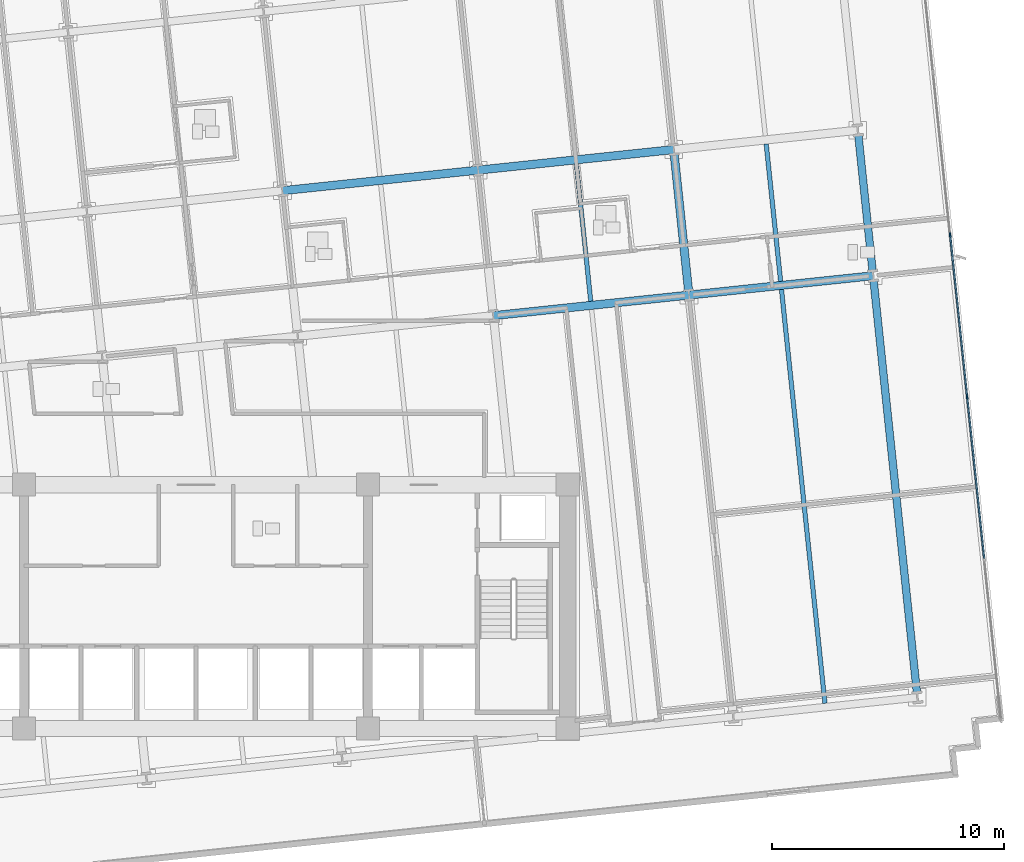
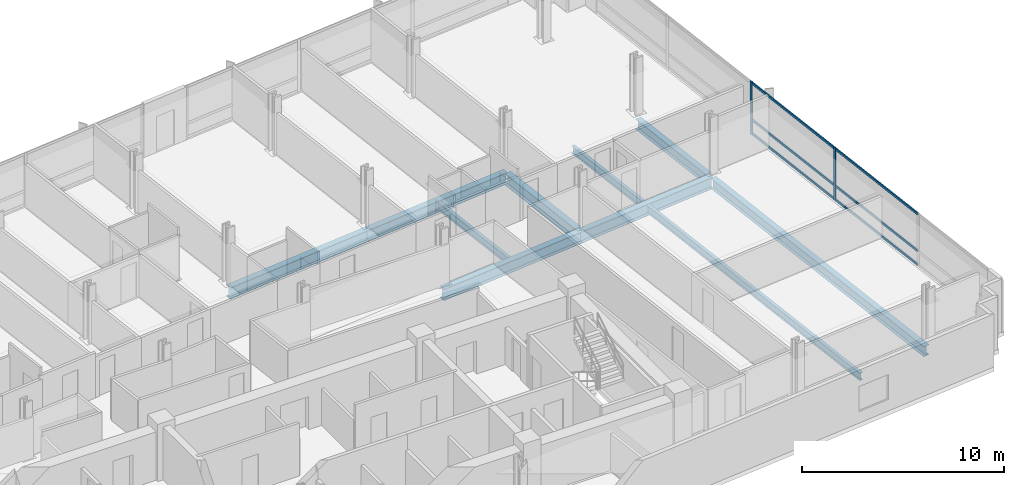
# One storey, part 5 of 19: 10 beams, 8 members, 1 element without a shape of its own.
"""IFC4 building model written with IfcOpenShell, lengths in metres."""

from ifc_helpers import new_model, si_unit, direction, frame, origin, origin_2d, place, context, subcontext, project, spatial, rectangle, i_section, extrude, material, material_profile, profile_set, type_object, element, aggregate, save


model = new_model("IFC4")

# Units and contexts
model_context = context("Model", 3, precision=1e-05, world=origin(), true_north=direction((0.0, 1.0)))
body_context = subcontext(model_context, "Body", "Model", "MODEL_VIEW")
ifc_project = project(units=[si_unit("LENGTHUNIT", "METRE"), si_unit("AREAUNIT", "SQUARE_METRE"), si_unit("VOLUMEUNIT", "CUBIC_METRE"), si_unit("PLANEANGLEUNIT", "RADIAN"), si_unit("MASSUNIT", "GRAM", prefix="KILO")], contexts=[model_context])

# Site, building, storey
site_placement = place(None, origin())
site = spatial("IfcSite", under=ifc_project, at=site_placement, CompositionType="ELEMENT")
building_placement = place(site_placement, origin())
building = spatial("IfcBuilding", under=site, at=building_placement, Name="Solmavex Isthmus Hotel", CompositionType="ELEMENT")
storey_placement = place(building_placement, frame((0.0, 0.0, 83.550048828125)))
storey = spatial("IfcBuildingStorey", under=building, at=storey_placement, Name="L22", CompositionType="ELEMENT", Elevation=83.550048828125)

# Beams
ifc_material_1 = material(Name="Steel ASTM A992 Grade 50", Category="steel")
ifc_material_profile_1 = material_profile(ifc_material_1, i_section(OverallWidth=0.354736328125, OverallDepth=0.695556640625, WebThickness=0.015380859375, FlangeThickness=0.02490234375, FilletRadius=0.017822265625, at=origin_2d()), Name="W27X146")
ifc_profile_set_1 = profile_set([ifc_material_profile_1], Name="Steel ASTM A992 Grade 50")
beam_type_1 = type_object("IfcBeamType", Name="BM-BG-W27X146", PredefinedType="BEAM", material=ifc_profile_set_1)
beam_1_placement = place(storey_placement, frame((12.800048828125, 4.7734375, -0.60791015625), z_axis=(0.994521085209, 0.104536171134, 0.0), x_axis=(-0.104536171134, 0.994521085209, 0.0)))
element("IfcBeam", 1, at=beam_1_placement, inside=storey, type_object=beam_type_1, Name="Floor Girder L22-UG11", PredefinedType="BEAM", context=body_context, shape_type="SweptSolid", body=[
    extrude(i_section(OverallWidth=0.354736328125, OverallDepth=0.695556640625, WebThickness=0.015380859375, FlangeThickness=0.02490234375, FilletRadius=0.017822265625, at=origin_2d()), origin(), (0.0, 0.0, 1.0), 8.466064453125),
])
beam_2_placement = place(storey_placement, frame((21.2197265625, 5.658447265625, -0.60791015625), z_axis=(0.994523402738, 0.104514120609, 0.0), x_axis=(-0.104514120609, 0.994523402738, 0.0)))
element("IfcBeam", 2, at=beam_2_placement, inside=storey, type_object=beam_type_1, Name="Floor Girder L22-UG12", PredefinedType="BEAM", context=body_context, shape_type="SweptSolid", body=[
    extrude(i_section(OverallWidth=0.354736328125, OverallDepth=0.695556640625, WebThickness=0.015380859375, FlangeThickness=0.02490234375, FilletRadius=0.017822265625, at=origin_2d()), origin(), (0.0, 0.0, 1.0), 7.968017578125),
])
for number, where, z_axis, x_axis, name in (
    (3, (3.72216796875, 10.152099609375, -0.60791015625), (0.994524082861, 0.104507648572, 0.0), (-0.104507648572, 0.994524082861, 0.0), "Floor Girder L22-UG16"),
    (4, (12.141845703125, 11.036865234375, -0.60791015625), (0.994521085209, 0.104536171134, 0.0), (-0.104536171134, 0.994521085209, 0.0), "Floor Girder L22-UG17"),
):
    element("IfcBeam", number, at=place(storey_placement, frame(where, z_axis=z_axis, x_axis=x_axis)), inside=storey, type_object=beam_type_1, Name=name, PredefinedType="BEAM", context=body_context, shape_type="SweptSolid", body=[
        extrude(i_section(OverallWidth=0.354736328125, OverallDepth=0.695556640625, WebThickness=0.015380859375, FlangeThickness=0.02490234375, FilletRadius=0.017822265625, at=origin_2d()), origin(), (0.0, 0.0, 1.0), 8.466064453125),
    ])
beam_3_placement = place(storey_placement, frame((21.201171875, 5.834716796875, -0.60791015625), z_axis=(-0.104505160346, 0.994524344328, 0.0), x_axis=(-0.994524344328, -0.104505160346, 0.0)))
element("IfcBeam", 5, at=beam_3_placement, inside=storey, type_object=beam_type_1, Name="Floor Beam L22-VG44", PredefinedType="BEAM", context=body_context, shape_type="SweptSolid", body=[
    extrude(i_section(OverallWidth=0.354736328125, OverallDepth=0.695556640625, WebThickness=0.015380859375, FlangeThickness=0.02490234375, FilletRadius=0.017822265625, at=origin_2d()), origin(), (0.0, 0.0, 1.0), 5.943115234375),
])
ifc_material_profile_2 = material_profile(ifc_material_1, i_section(OverallWidth=0.1904296875, OverallDepth=0.456787109375, WebThickness=0.009033203125, FlangeThickness=0.014404296875, FilletRadius=0.0126953125, at=origin_2d()), Name="W18X50")
ifc_profile_set_2 = profile_set([ifc_material_profile_2], Name="Steel ASTM A992 Grade 50")
beam_type_2 = type_object("IfcBeamType", Name="BM-BJ-W18X50", PredefinedType="JOIST", material=ifc_profile_set_2)
beam_4_placement = place(storey_placement, frame((16.991455078125, 5.392333984375, -0.488525390625), z_axis=(-0.104545790518, 0.994520074048, 0.0), x_axis=(-0.994520074048, -0.104545790518, 0.0)))
element("IfcBeam", 6, at=beam_4_placement, inside=storey, type_object=beam_type_2, Name="Secondary Floor Joist L22-J17", PredefinedType="JOIST", context=body_context, shape_type="SweptSolid", body=[
    extrude(i_section(OverallWidth=0.1904296875, OverallDepth=0.456787109375, WebThickness=0.009033203125, FlangeThickness=0.014404296875, FilletRadius=0.0126953125, at=origin_2d()), origin(), (0.0, 0.0, 1.0), 5.943115234375),
])
beam_5_placement = place(storey_placement, frame((27.072509765625, -11.912841796875, -0.488525390625), z_axis=(-0.104530088192, 0.99452172458, 0.0), x_axis=(-0.99452172458, -0.104530088192, 0.0)))
element("IfcBeam", 7, at=beam_5_placement, inside=storey, type_object=beam_type_2, Name="Secondary Floor Joist L22-J19", PredefinedType="JOIST", context=body_context, shape_type="SweptSolid", body=[
    extrude(i_section(OverallWidth=0.1904296875, OverallDepth=0.456787109375, WebThickness=0.009033203125, FlangeThickness=0.014404296875, FilletRadius=0.0126953125, at=origin_2d()), origin(), (0.0, 0.0, 1.0), 17.909423828125),
])
beam_6_placement = place(storey_placement, frame((25.163330078125, 6.251220703125, -0.488525390625), z_axis=(-0.104505160346, 0.994524344328, 0.0), x_axis=(-0.994524344328, -0.104505160346, 0.0)))
element("IfcBeam", 8, at=beam_6_placement, inside=storey, type_object=beam_type_2, Name="Secondary Floor Joist L22-J20", PredefinedType="JOIST", context=body_context, shape_type="SweptSolid", body=[
    extrude(i_section(OverallWidth=0.1904296875, OverallDepth=0.456787109375, WebThickness=0.009033203125, FlangeThickness=0.014404296875, FilletRadius=0.0126953125, at=origin_2d()), origin(), (0.0, 0.0, 1.0), 5.943115234375),
])
ifc_material_profile_3 = material_profile(ifc_material_1, i_section(OverallWidth=0.326416015625, OverallDepth=0.621826171875, WebThickness=0.015380859375, FlangeThickness=0.0244140625, FilletRadius=0.01513671875, at=origin_2d()), Name="W24X131")
ifc_profile_set_3 = profile_set([ifc_material_profile_3], Name="Steel ASTM A992 Grade 50")
beam_type_3 = type_object("IfcBeamType", Name="BM-SP-W24X131", PredefinedType="SPANDREL", material=ifc_profile_set_3)
beam_7_placement = place(storey_placement, frame((31.03466796875, -11.496337890625, -0.571044921875), z_axis=(-0.104530088192, 0.99452172458, 0.0), x_axis=(-0.99452172458, -0.104530088192, 0.0)))
element("IfcBeam", 9, at=beam_7_placement, inside=storey, type_object=beam_type_3, Name="Floor Beam L22-VG46", PredefinedType="SPANDREL", context=body_context, shape_type="SweptSolid", body=[
    extrude(i_section(OverallWidth=0.326416015625, OverallDepth=0.621826171875, WebThickness=0.015380859375, FlangeThickness=0.0244140625, FilletRadius=0.01513671875, at=origin_2d()), origin(), (0.0, 0.0, 1.0), 17.909423828125),
])
beam_8_placement = place(storey_placement, frame((29.12548828125, 6.667724609375, -0.571044921875), z_axis=(-0.104505160346, 0.994524344328, 0.0), x_axis=(-0.994524344328, -0.104505160346, 0.0)))
element("IfcBeam", 10, at=beam_8_placement, inside=storey, type_object=beam_type_3, Name="Floor Beam L22-VG47", PredefinedType="SPANDREL", context=body_context, shape_type="SweptSolid", body=[
    extrude(i_section(OverallWidth=0.326416015625, OverallDepth=0.621826171875, WebThickness=0.015380859375, FlangeThickness=0.0244140625, FilletRadius=0.01513671875, at=origin_2d()), origin(), (0.0, 0.0, 1.0), 5.943115234375),
])

# Curtain wall, members
ifc_material_2 = material(Name="Aluminium alloy 6063-T6", Category="aluminium")
curtain_wall_type = type_object("IfcCurtainWallType", Name="CW-SYS-03", PredefinedType="NOTDEFINED", material=ifc_material_2)
curtain_wall_placement = place(storey_placement, origin())
curtain_wall = element("IfcCurtainWall", 11, at=curtain_wall_placement, inside=storey, type_object=curtain_wall_type, Name="Stick Curtain Wall CWL-L22-E1", PredefinedType="NOTDEFINED")
ifc_material_profile_4 = material_profile(ifc_material_2, rectangle(XDim=0.070068359375, YDim=0.179931640625, at=origin_2d()), Name="CWM-70X180")
ifc_profile_set_4 = profile_set([ifc_material_profile_4], Name="Aluminium alloy 6063-T6")
member_type_1 = type_object("IfcMemberType", Name="CW-SYS-03-MUL", PredefinedType="MULLION", material=ifc_profile_set_4)
member_1_placement = place(storey_placement, frame((33.19140625, 1.275634765625, 0.0), z_axis=(0.0, 0.0, 1.0), x_axis=(-0.994521893044, -0.104528485381, 0.0)))
member_1 = element("IfcMember", 12, at=member_1_placement, type_object=member_type_1, Name="CW-03 mullion 3", PredefinedType="MULLION", context=body_context, shape_type="SweptSolid", body=[
    extrude(rectangle(XDim=0.070068359375, YDim=0.179931640625, at=origin_2d()), origin(), (0.0, 0.0, 1.0), 3.18994140625),
])
member_2_placement = place(storey_placement, frame((32.45751953125, 8.25732421875, 0.0), z_axis=(0.0, 0.0, 1.0), x_axis=(-0.994521893044, -0.104528485381, 0.0)))
member_2 = element("IfcMember", 13, at=member_2_placement, type_object=member_type_1, Name="CW-03 mullion 4", PredefinedType="MULLION", context=body_context, shape_type="SweptSolid", body=[
    extrude(rectangle(XDim=0.070068359375, YDim=0.179931640625, at=origin_2d()), origin(), (0.0, 0.0, 1.0), 3.18994140625),
])
ifc_material_profile_5 = material_profile(ifc_material_2, rectangle(XDim=0.070068359375, YDim=0.139892578125, at=origin_2d()), Name="CWT-70X140")
ifc_profile_set_5 = profile_set([ifc_material_profile_5], Name="Aluminium alloy 6063-T6")
member_type_2 = type_object("IfcMemberType", Name="CW-SYS-03-TRN", PredefinedType="USERDEFINED", material=ifc_profile_set_5)
member_3_placement = place(storey_placement, frame((33.921630859375, -5.6708984375, 0.070068359375), z_axis=(-0.104542152467, 0.99452045648, 0.0), x_axis=(-0.99452045648, -0.104542152467, 0.0)))
member_3 = element("IfcMember", 14, at=member_3_placement, type_object=member_type_2, Name="CW-03 transom 2.1", ObjectType="TRANSOM", PredefinedType="USERDEFINED", context=body_context, shape_type="SweptSolid", body=[
    extrude(rectangle(XDim=0.070068359375, YDim=0.139892578125, at=origin_2d()), origin(), (0.0, 0.0, 1.0), 6.949951171875),
])
member_4_placement = place(storey_placement, frame((33.921630859375, -5.6708984375, 0.89990234375), z_axis=(-0.104542152467, 0.99452045648, 0.0), x_axis=(-0.99452045648, -0.104542152467, 0.0)))
member_4 = element("IfcMember", 15, at=member_4_placement, type_object=member_type_2, Name="CW-03 transom 2.2", ObjectType="TRANSOM", PredefinedType="USERDEFINED", context=body_context, shape_type="SweptSolid", body=[
    extrude(rectangle(XDim=0.070068359375, YDim=0.139892578125, at=origin_2d()), origin(), (0.0, 0.0, 1.0), 6.949951171875),
])
member_5_placement = place(storey_placement, frame((33.921630859375, -5.6708984375, 3.119873046875), z_axis=(-0.104542152467, 0.99452045648, 0.0), x_axis=(-0.99452045648, -0.104542152467, 0.0)))
member_5 = element("IfcMember", 16, at=member_5_placement, type_object=member_type_2, Name="CW-03 transom 2.3", ObjectType="TRANSOM", PredefinedType="USERDEFINED", context=body_context, shape_type="SweptSolid", body=[
    extrude(rectangle(XDim=0.070068359375, YDim=0.139892578125, at=origin_2d()), origin(), (0.0, 0.0, 1.0), 6.949951171875),
])
member_6_placement = place(storey_placement, frame((33.187744140625, 1.310546875, 0.070068359375), z_axis=(-0.104542152467, 0.99452045648, 0.0), x_axis=(-0.99452045648, -0.104542152467, 0.0)))
member_6 = element("IfcMember", 17, at=member_6_placement, type_object=member_type_2, Name="CW-03 transom 3.1", ObjectType="TRANSOM", PredefinedType="USERDEFINED", context=body_context, shape_type="SweptSolid", body=[
    extrude(rectangle(XDim=0.070068359375, YDim=0.139892578125, at=origin_2d()), origin(), (0.0, 0.0, 1.0), 6.949951171875),
])
member_7_placement = place(storey_placement, frame((33.187744140625, 1.310546875, 0.89990234375), z_axis=(-0.104542152467, 0.99452045648, 0.0), x_axis=(-0.99452045648, -0.104542152467, 0.0)))
member_7 = element("IfcMember", 18, at=member_7_placement, type_object=member_type_2, Name="CW-03 transom 3.2", ObjectType="TRANSOM", PredefinedType="USERDEFINED", context=body_context, shape_type="SweptSolid", body=[
    extrude(rectangle(XDim=0.070068359375, YDim=0.139892578125, at=origin_2d()), origin(), (0.0, 0.0, 1.0), 6.949951171875),
])
member_8_placement = place(storey_placement, frame((33.187744140625, 1.310546875, 3.119873046875), z_axis=(-0.104542152467, 0.99452045648, 0.0), x_axis=(-0.99452045648, -0.104542152467, 0.0)))
member_8 = element("IfcMember", 19, at=member_8_placement, type_object=member_type_2, Name="CW-03 transom 3.3", ObjectType="TRANSOM", PredefinedType="USERDEFINED", context=body_context, shape_type="SweptSolid", body=[
    extrude(rectangle(XDim=0.070068359375, YDim=0.139892578125, at=origin_2d()), origin(), (0.0, 0.0, 1.0), 6.949951171875),
])
aggregate(curtain_wall, [member_1, member_2, member_3, member_4, member_5, member_6, member_7, member_8])

save(model, "model.ifc")
